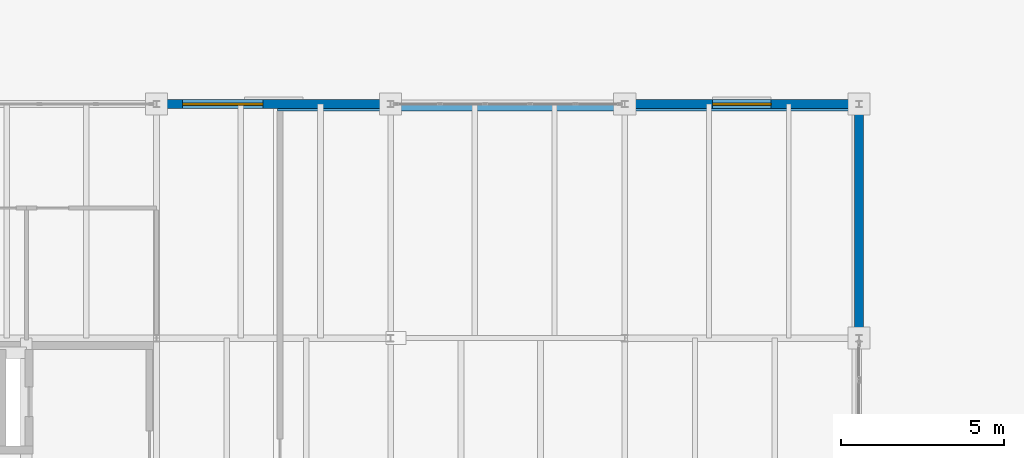
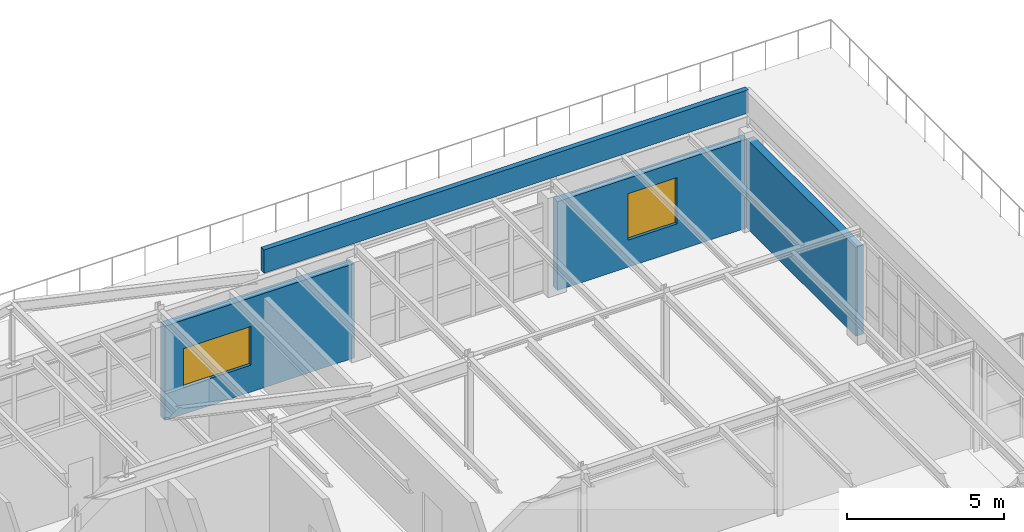
# One storey, part 41 of 43: 4 walls, 2 windows, 2 openings.
"""IFC4 building model written with IfcOpenShell, lengths in metres."""

from ifc_helpers import new_model, si_unit, direction, frame, frame_2d, origin, place, context, subcontext, project, spatial, rectangle, extrude, material, layer, layer_set, type_object, element, fill, save


model = new_model("IFC4")

# Units and contexts
model_context = context("Model", 3, precision=1e-05, world=origin(), true_north=direction((0.0, 1.0)))
body_context = subcontext(model_context, "Body", "Model", "MODEL_VIEW")
ifc_project = project(units=[si_unit("LENGTHUNIT", "METRE"), si_unit("AREAUNIT", "SQUARE_METRE"), si_unit("VOLUMEUNIT", "CUBIC_METRE"), si_unit("PLANEANGLEUNIT", "RADIAN"), si_unit("MASSUNIT", "GRAM", prefix="KILO")], contexts=[model_context])

# Site, building, storey
site_placement = place(None, origin())
site = spatial("IfcSite", under=ifc_project, at=site_placement, CompositionType="ELEMENT")
building_placement = place(site_placement, origin())
building = spatial("IfcBuilding", under=site, at=building_placement, Name="Kemerveld Promenade Tramway Depot", CompositionType="ELEMENT")
storey_placement = place(building_placement, frame((0.0, 0.0, 18.89990234375)))
storey = spatial("IfcBuildingStorey", under=building, at=storey_placement, Name="L04", CompositionType="ELEMENT", Elevation=18.89990234375)

# Wall, opening, window
ifc_material_1 = material(Name="Insulated clay brick spandrel wall", Category="masonry")
ifc_layer_1 = layer(ifc_material_1, 0.280029296875)
ifc_layer_set_1 = layer_set([ifc_layer_1], Name="WL-EXT-280")
wall_type_1 = type_object("IfcWallType", Name="WL-EXT-280", PredefinedType="SOLIDWALL", material=ifc_layer_set_1)
wall_1_placement = place(storey_placement, frame((14.52490234375, 57.60009765625, 0.0), z_axis=(0.0, 0.0, 1.0), x_axis=(1.0, 0.0, 0.0)))
wall_1 = element("IfcWall", 1, at=wall_1_placement, inside=storey, type_object=wall_type_1, Name="WL-L04-V5N-03", PredefinedType="SOLIDWALL", context=body_context, shape_type="SweptSolid", body=[
    extrude(rectangle(XDim=6.9501953125, YDim=0.280029296875, at=frame_2d((3.47509765625, 0.0))), origin(), (0.0, 0.0, 1.0), 3.658203125),
])
opening_1_placement = place(wall_1_placement, frame((0.677978515625, 0.0, 1.050048828125)))
opening_1 = element("IfcOpeningElement", 2, at=opening_1_placement, cuts=wall_1, Name="Opening W-223", PredefinedType="OPENING", context=body_context, shape_type="SweptSolid", body=[
    extrude(rectangle(XDim=2.469970703125, YDim=1.5, at=frame_2d((1.23486328125, 0.75))), frame((0.0, 0.14990234375, 0.0), z_axis=(0.0, -1.0, 0.0), x_axis=(1.0, 0.0, 0.0)), (0.0, 0.0, 1.0), 0.300048828125),
])
ifc_material_2 = material(Name="Bronze anodised aluminium and low-e glass", Category="aluminium")
window_type_1 = type_object("IfcWindowType", Name="WN-38", PartitioningType="SINGLE_PANEL", PredefinedType="WINDOW", material=ifc_material_2)
window_1_placement = place(opening_1_placement, origin())
window_1 = element("IfcWindow", 3, at=window_1_placement, inside=storey, type_object=window_type_1, Name="WN-L04-V5N-03", OverallHeight=1.5, OverallWidth=2.469970703125, PartitioningType="SINGLE_PANEL", PredefinedType="WINDOW", context=body_context, shape_type="SweptSolid", body=[
    extrude(rectangle(XDim=2.469970703125, YDim=1.5, at=frame_2d((1.23486328125, 0.75))), frame((0.0, 0.030029296875, 0.0), z_axis=(0.0, -1.0, 0.0), x_axis=(1.0, 0.0, 0.0)), (0.0, 0.0, 1.0), 0.06005859375),
])
fill(opening_1, window_1)

wall_2_placement = place(storey_placement, frame((28.9248046875, 57.60009765625, 0.0), z_axis=(0.0, 0.0, 1.0), x_axis=(1.0, 0.0, 0.0)))
wall_2 = element("IfcWall", 4, at=wall_2_placement, inside=storey, type_object=wall_type_1, Name="WL-L04-V5N-05", PredefinedType="SOLIDWALL", context=body_context, shape_type="SweptSolid", body=[
    extrude(rectangle(XDim=6.950439453125, YDim=0.280029296875, at=frame_2d((3.47509765625, 0.0))), origin(), (0.0, 0.0, 1.0), 3.44921875),
])
opening_2_placement = place(wall_2_placement, frame((2.574951171875, 0.0, 1.050048828125)))
opening_2 = element("IfcOpeningElement", 5, at=opening_2_placement, cuts=wall_2, Name="Opening W-224", PredefinedType="OPENING", context=body_context, shape_type="SweptSolid", body=[
    extrude(rectangle(XDim=1.800048828125, YDim=1.800048828125, at=frame_2d((0.89990234375, 0.89990234375))), frame((0.0, 0.14990234375, 0.0), z_axis=(0.0, -1.0, 0.0), x_axis=(1.0, 0.0, 0.0)), (0.0, 0.0, 1.0), 0.300048828125),
])
window_type_2 = type_object("IfcWindowType", Name="WN-08", PartitioningType="SINGLE_PANEL", PredefinedType="WINDOW", material=ifc_material_2)
window_2_placement = place(opening_2_placement, origin())
window_2 = element("IfcWindow", 6, at=window_2_placement, inside=storey, type_object=window_type_2, Name="WN-L04-V5N-05", OverallHeight=1.800048828125, OverallWidth=1.800048828125, PartitioningType="SINGLE_PANEL", PredefinedType="WINDOW", context=body_context, shape_type="SweptSolid", body=[
    extrude(rectangle(XDim=1.800048828125, YDim=1.800048828125, at=frame_2d((0.89990234375, 0.89990234375))), frame((0.0, 0.030029296875, 0.0), z_axis=(0.0, -1.0, 0.0), x_axis=(1.0, 0.0, 0.0)), (0.0, 0.0, 1.0), 0.06005859375),
])
fill(opening_2, window_2)

# Walls
wall_3_placement = place(storey_placement, frame((36.0, 57.47509765625, 0.0), z_axis=(0.0, 0.0, 1.0), x_axis=(0.0, -1.0, 0.0)))
element("IfcWall", 7, at=wall_3_placement, inside=storey, type_object=wall_type_1, Name="WL-L04-V5EN-01", PredefinedType="SOLIDWALL", context=body_context, shape_type="SweptSolid", body=[
    extrude(rectangle(XDim=6.9501953125, YDim=0.280029296875, at=frame_2d((3.47509765625, 0.0))), origin(), (0.0, 0.0, 1.0), 3.44921875),
])
ifc_material_3 = material(Name="Precast concrete C40/50", Category="concrete")
ifc_layer_2 = layer(ifc_material_3, 0.18994140625)
ifc_layer_set_2 = layer_set([ifc_layer_2], Name="WL-PAR-190")
wall_type_2 = type_object("IfcWallType", Name="WL-PAR-190", PredefinedType="PARAPET", material=ifc_layer_set_2)
wall_4_placement = place(storey_placement, frame((18.1201171875, 57.47998046875, 4.5), z_axis=(0.0, 0.0, 1.0), x_axis=(1.0, 0.0, 0.0)))
element("IfcWall", 8, at=wall_4_placement, inside=storey, type_object=wall_type_2, Name="PAR-V5-N", PredefinedType="PARAPET", context=body_context, shape_type="SweptSolid", body=[
    extrude(rectangle(XDim=17.759765625, YDim=0.18994140625, at=frame_2d((8.8798828125, 0.0))), origin(), (0.0, 0.0, 1.0), 0.900146484375),
])

save(model, "model.ifc")
